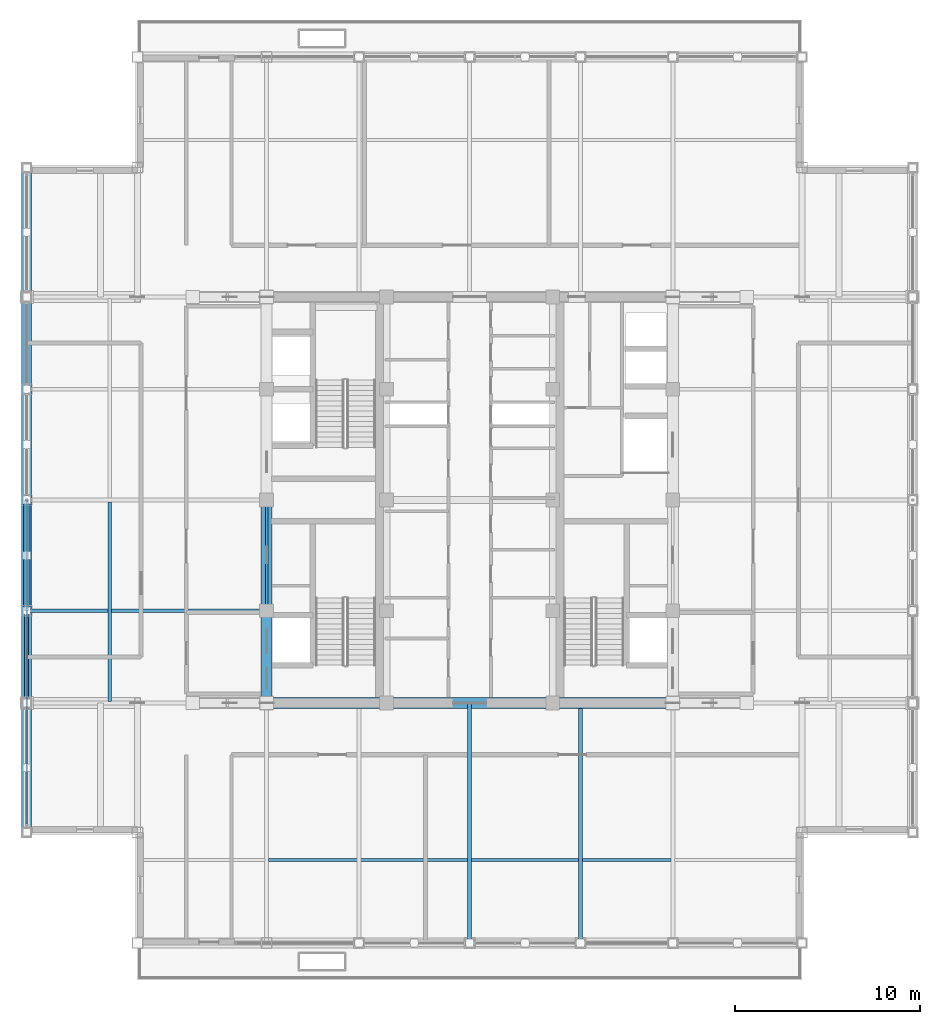
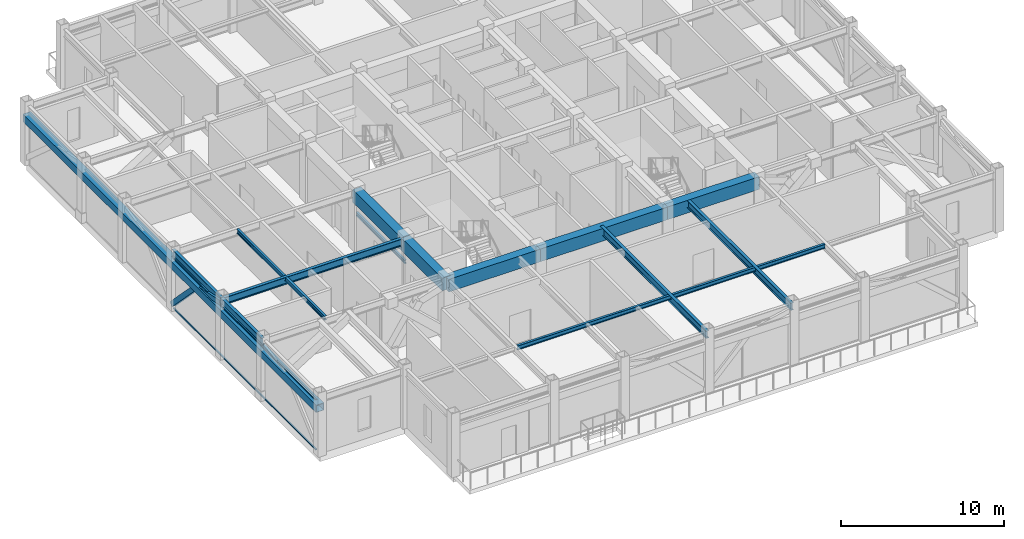
# One storey, part 5 of 32: 13 beams, 5 members, 1 element without a shape of its own.
"""IFC4 building model written with IfcOpenShell, lengths in metres."""

from ifc_helpers import new_model, si_unit, direction, frame, origin, origin_2d, place, context, subcontext, project, spatial, rectangle, hollow_rectangle, i_section, extrude, source, transform, mapped, material, material_profile, profile_set, type_object, element, aggregate, save


model = new_model("IFC4")

# Units and contexts
model_context = context("Model", 3, precision=1e-05, world=origin(), true_north=direction((0.0, 1.0)))
body_context = subcontext(model_context, "Body", "Model", "MODEL_VIEW")
ifc_project = project(units=[si_unit("LENGTHUNIT", "METRE"), si_unit("AREAUNIT", "SQUARE_METRE"), si_unit("VOLUMEUNIT", "CUBIC_METRE"), si_unit("PLANEANGLEUNIT", "RADIAN"), si_unit("MASSUNIT", "GRAM", prefix="KILO")], contexts=[model_context])

# Site, building, storey
site_placement = place(None, origin())
site = spatial("IfcSite", under=ifc_project, at=site_placement, CompositionType="ELEMENT")
building_placement = place(site_placement, origin())
building = spatial("IfcBuilding", under=site, at=building_placement, Name="Khorayat Bourse Tower", CompositionType="ELEMENT")
storey_placement = place(building_placement, frame((0.0, 0.0, 375.5)))
storey = spatial("IfcBuildingStorey", under=building, at=storey_placement, Name="L89", CompositionType="ELEMENT", Elevation=375.5)

# Beams
ifc_material_1 = material(Name="Steel ASTM A992 Grade 50", Category="steel")
ifc_material_profile_1 = material_profile(ifc_material_1, i_section(OverallWidth=0.14697265625, OverallDepth=0.261962890625, WebThickness=0.006591796875, FlangeThickness=0.01123046875, FilletRadius=0.008056640625, at=origin_2d()), Name="W250X39")
ifc_profile_set_1 = profile_set([ifc_material_profile_1], Name="Steel ASTM A992 Grade 50")
beam_type_1 = type_object("IfcBeamType", Name="BM-LINTEL-250", PredefinedType="LINTEL", material=ifc_profile_set_1)
shared_shape_1 = source(origin(), body_context, "Body", "SweptSolid", [
    extrude(i_section(OverallWidth=0.14697265625, OverallDepth=0.261962890625, WebThickness=0.006591796875, FlangeThickness=0.01123046875, FilletRadius=0.008056640625, at=origin_2d()), origin(), (0.0, 0.0, 1.0), 6.0),
])
beam_1_placement = place(storey_placement, frame((-11.0, -6.0, 2.550048828125), z_axis=(0.0, 1.0, 0.0), x_axis=(-1.0, 0.0, 0.0)))
element("IfcBeam", 1, at=beam_1_placement, inside=storey, type_object=beam_type_1, Name="L89 Core Opening Lintel 01", PredefinedType="LINTEL", context=body_context, shape_type="MappedRepresentation", body=[
    mapped(shared_shape_1, transform((0.0, 0.0, 0.0), scale=1.0)),
])
ifc_material_2 = material(Name="Concrete C60/75", Category="concrete")
ifc_material_profile_2 = material_profile(ifc_material_2, rectangle(XDim=0.60009765625, YDim=0.949951171875, at=origin_2d()), Name="RC 600x950")
ifc_profile_set_2 = profile_set([ifc_material_profile_2], Name="Concrete C60/75")
beam_type_2 = type_object("IfcBeamType", Name="BM-COUP-950", PredefinedType="BEAM", material=ifc_profile_set_2)
shared_shape_2 = source(origin(), body_context, "Body", "SweptSolid", [
    extrude(rectangle(XDim=0.60009765625, YDim=0.949951171875, at=origin_2d()), origin(), (0.0, 0.0, 1.0), 5.0),
])
beam_2_placement = place(storey_placement, frame((-11.0, -11.0, 3.97509765625), z_axis=(0.0, 1.0, 0.0), x_axis=(-1.0, 0.0, 0.0)))
element("IfcBeam", 2, at=beam_2_placement, inside=storey, type_object=beam_type_2, Name="L89 BM-COUP-950 BM-L89-CRX-01", PredefinedType="BEAM", context=body_context, shape_type="MappedRepresentation", body=[
    mapped(shared_shape_2, transform((0.0, 0.0, 0.0), scale=1.0)),
])
shared_shape_3 = source(origin(), body_context, "Body", "SweptSolid", [
    extrude(rectangle(XDim=0.60009765625, YDim=0.949951171875, at=origin_2d()), origin(), (0.0, 0.0, 1.0), 6.0),
])
beam_3_placement = place(storey_placement, frame((-11.0, -6.0, 3.97509765625), z_axis=(0.0, 1.0, 0.0), x_axis=(-1.0, 0.0, 0.0)))
element("IfcBeam", 3, at=beam_3_placement, inside=storey, type_object=beam_type_2, Name="L89 BM-COUP-950 BM-L89-CRX-02", PredefinedType="BEAM", context=body_context, shape_type="MappedRepresentation", body=[
    mapped(shared_shape_3, transform((0.0, 0.0, 0.0), scale=1.0)),
])
shared_shape_4 = source(origin(), body_context, "Body", "SweptSolid", [
    extrude(rectangle(XDim=0.60009765625, YDim=0.949951171875, at=origin_2d()), origin(), (0.0, 0.0, 1.0), 6.5),
])
for number, where, z_axis, x_axis, name in (
    (4, (-11.0, -11.0, 3.97509765625), (1.0, 0.0, 0.0), (0.0, 1.0, 0.0), "L89 BM-COUP-950 BM-L89-CRY-17"),
    (5, (4.5, -11.0, 3.97509765625), (1.0, 0.0, 0.0), (0.0, 1.0, 0.0), "L89 BM-COUP-950 BM-L89-CRY-19"),
):
    element("IfcBeam", number, at=place(storey_placement, frame(where, z_axis=z_axis, x_axis=x_axis)), inside=storey, type_object=beam_type_2, Name=name, PredefinedType="BEAM", context=body_context, shape_type="MappedRepresentation", body=[
        mapped(shared_shape_4, transform((0.0, 0.0, 0.0), scale=1.0)),
    ])
shared_shape_5 = source(origin(), body_context, "Body", "SweptSolid", [
    extrude(rectangle(XDim=0.60009765625, YDim=0.949951171875, at=origin_2d()), origin(), (0.0, 0.0, 1.0), 9.0),
])
beam_4_placement = place(storey_placement, frame((-4.5, -11.0, 3.97509765625), z_axis=(1.0, 0.0, 0.0), x_axis=(0.0, 1.0, 0.0)))
element("IfcBeam", 6, at=beam_4_placement, inside=storey, type_object=beam_type_2, Name="L89 BM-COUP-950 BM-L89-CRY-18", PredefinedType="BEAM", context=body_context, shape_type="MappedRepresentation", body=[
    mapped(shared_shape_5, transform((0.0, 0.0, 0.0), scale=1.0)),
])
ifc_material_profile_3 = material_profile(ifc_material_1, i_section(OverallWidth=0.214111328125, OverallDepth=0.549072265625, WebThickness=0.0146484375, FlangeThickness=0.023681640625, FilletRadius=0.013916015625, at=origin_2d()), Name="W530X138")
ifc_profile_set_3 = profile_set([ifc_material_profile_3], Name="Steel ASTM A992 Grade 50")
beam_type_3 = type_object("IfcBeamType", Name="BM-SPAN-530", PredefinedType="SPANDREL", material=ifc_profile_set_3)
shared_shape_6 = source(origin(), body_context, "Body", "SweptSolid", [
    extrude(i_section(OverallWidth=0.214111328125, OverallDepth=0.549072265625, WebThickness=0.0146484375, FlangeThickness=0.023681640625, FilletRadius=0.013916015625, at=origin_2d()), origin(), (0.0, 0.0, 1.0), 5.0),
])
beam_5_placement = place(storey_placement, frame((-24.0, -11.0, 4.175537109375), z_axis=(0.0, 1.0, 0.0), x_axis=(-1.0, 0.0, 0.0)))
element("IfcBeam", 7, at=beam_5_placement, inside=storey, type_object=beam_type_3, Name="L89 BM-SPAN-530 BM-L89-SPN-052", PredefinedType="SPANDREL", context=body_context, shape_type="MappedRepresentation", body=[
    mapped(shared_shape_6, transform((0.0, 0.0, 0.0), scale=1.0)),
])
shared_shape_7 = source(origin(), body_context, "Body", "SweptSolid", [
    extrude(i_section(OverallWidth=0.214111328125, OverallDepth=0.549072265625, WebThickness=0.0146484375, FlangeThickness=0.023681640625, FilletRadius=0.013916015625, at=origin_2d()), origin(), (0.0, 0.0, 1.0), 6.0),
])
beam_6_placement = place(storey_placement, frame((-24.0, -6.0, 4.175537109375), z_axis=(0.0, 1.0, 0.0), x_axis=(-1.0, 0.0, 0.0)))
element("IfcBeam", 8, at=beam_6_placement, inside=storey, type_object=beam_type_3, Name="L89 BM-SPAN-530 BM-L89-SPN-051", PredefinedType="SPANDREL", context=body_context, shape_type="MappedRepresentation", body=[
    mapped(shared_shape_7, transform((0.0, 0.0, 0.0), scale=1.0)),
])
ifc_material_profile_4 = material_profile(ifc_material_1, i_section(OverallWidth=0.214111328125, OverallDepth=0.549072265625, WebThickness=0.0146484375, FlangeThickness=0.023681640625, FilletRadius=0.013916015625, at=origin_2d()), Name="W530X138")
ifc_profile_set_4 = profile_set([ifc_material_profile_4], Name="Steel ASTM A992 Grade 50")
beam_type_4 = type_object("IfcBeamType", Name="BM-GIRD-530", PredefinedType="BEAM", material=ifc_profile_set_4)
shared_shape_8 = source(origin(), body_context, "Body", "SweptSolid", [
    extrude(i_section(OverallWidth=0.214111328125, OverallDepth=0.549072265625, WebThickness=0.0146484375, FlangeThickness=0.023681640625, FilletRadius=0.013916015625, at=origin_2d()), origin(), (0.0, 0.0, 1.0), 13.0),
])
for number, where, z_axis, x_axis, name in (
    (9, (0.0, -24.0, 4.175537109375), (0.0, 1.0, 0.0), (-1.0, 0.0, 0.0), "L89 BM-GIRD-530 BM-L89-RADY-061"),
    (10, (6.0, -24.0, 4.175537109375), (0.0, 1.0, 0.0), (-1.0, 0.0, 0.0), "L89 BM-GIRD-530 BM-L89-RADY-063"),
    (11, (-24.0, -6.0, 4.175537109375), (1.0, 0.0, 0.0), (0.0, 1.0, 0.0), "L89 BM-GIRD-530 BM-L89-RADX-069"),
):
    element("IfcBeam", number, at=place(storey_placement, frame(where, z_axis=z_axis, x_axis=x_axis)), inside=storey, type_object=beam_type_4, Name=name, PredefinedType="BEAM", context=body_context, shape_type="MappedRepresentation", body=[
        mapped(shared_shape_8, transform((0.0, 0.0, 0.0), scale=1.0)),
    ])
ifc_material_profile_5 = material_profile(ifc_material_1, i_section(OverallWidth=0.1669921875, OverallDepth=0.31689453125, WebThickness=0.007568359375, FlangeThickness=0.01318359375, FilletRadius=0.010009765625, at=origin_2d()), Name="W310X52")
ifc_profile_set_5 = profile_set([ifc_material_profile_5], Name="Steel ASTM A992 Grade 50")
beam_type_5 = type_object("IfcBeamType", Name="BM-JOIST-310", PredefinedType="JOIST", material=ifc_profile_set_5)
shared_shape_9 = source(origin(), body_context, "Body", "SweptSolid", [
    extrude(i_section(OverallWidth=0.1669921875, OverallDepth=0.31689453125, WebThickness=0.007568359375, FlangeThickness=0.01318359375, FilletRadius=0.010009765625, at=origin_2d()), origin(), (0.0, 0.0, 1.0), 21.81005859375),
])
beam_7_placement = place(storey_placement, frame((-10.905029296875, -19.5, 4.29150390625), z_axis=(1.0, 0.0, 0.0), x_axis=(0.0, 1.0, 0.0)))
element("IfcBeam", 12, at=beam_7_placement, inside=storey, type_object=beam_type_5, Name="L89 BM-JOIST-310 BM-L89-JSTX-085", PredefinedType="JOIST", context=body_context, shape_type="MappedRepresentation", body=[
    mapped(shared_shape_9, transform((0.0, 0.0, 0.0), scale=1.0)),
])
shared_shape_10 = source(origin(), body_context, "Body", "SweptSolid", [
    extrude(i_section(OverallWidth=0.1669921875, OverallDepth=0.31689453125, WebThickness=0.007568359375, FlangeThickness=0.01318359375, FilletRadius=0.010009765625, at=origin_2d()), origin(), (0.0, 0.0, 1.0), 10.81005859375),
])
beam_8_placement = place(storey_placement, frame((-19.5, -10.905029296875, 4.29150390625), z_axis=(0.0, 1.0, 0.0), x_axis=(-1.0, 0.0, 0.0)))
element("IfcBeam", 13, at=beam_8_placement, inside=storey, type_object=beam_type_5, Name="L89 BM-JOIST-310 BM-L89-JSTY-090", PredefinedType="JOIST", context=body_context, shape_type="MappedRepresentation", body=[
    mapped(shared_shape_10, transform((0.0, 0.0, 0.0), scale=1.0)),
])

# Members
ifc_material_3 = material(Name="Steel EN 10025-4 S460M", Category="steel")
ifc_material_profile_6 = material_profile(ifc_material_3, hollow_rectangle(XDim=0.550048828125, YDim=0.550048828125, WallThickness=0.031982421875, at=origin_2d()), Name="HSS 550x550x32")
ifc_profile_set_6 = profile_set([ifc_material_profile_6], Name="Steel EN 10025-4 S460M")
member_type_1 = type_object("IfcMemberType", Name="MBR-BELT-550", PredefinedType="CHORD", material=ifc_profile_set_6)
shared_shape_11 = source(origin(), body_context, "Body", "SweptSolid", [
    extrude(hollow_rectangle(XDim=0.550048828125, YDim=0.550048828125, WallThickness=0.031982421875, at=origin_2d()), origin(), (0.0, 0.0, 1.0), 36.0),
])
member_1_placement = place(storey_placement, frame((-24.0, -18.0, 3.449951171875), z_axis=(0.0, 1.0, 0.0), x_axis=(-1.0, 0.0, 0.0)))
element("IfcMember", 14, at=member_1_placement, inside=storey, type_object=member_type_1, Name="L89 Belt Truss Mid Chord 03", PredefinedType="CHORD", context=body_context, shape_type="MappedRepresentation", body=[
    mapped(shared_shape_11, transform((0.0, 0.0, 0.0), scale=1.0)),
])
ifc_material_4 = material(Name="Steel EN 10025-2 S355J2", Category="steel")
ifc_material_profile_7 = material_profile(ifc_material_4, hollow_rectangle(XDim=0.35009765625, YDim=0.35009765625, WallThickness=0.02001953125, at=origin_2d()), Name="HSS 350x350x20")
ifc_profile_set_7 = profile_set([ifc_material_profile_7], Name="Steel EN 10025-2 S355J2")
member_type_2 = type_object("IfcMemberType", Name="MBR-CROWN-350", PredefinedType="USERDEFINED", material=ifc_profile_set_7)
shared_shape_12 = source(origin(), body_context, "Body", "SweptSolid", [
    extrude(hollow_rectangle(XDim=0.35009765625, YDim=0.35009765625, WallThickness=0.02001953125, at=origin_2d()), origin(), (0.0, 0.0, 1.0), 3.069580078125),
])
member_2_placement = place(storey_placement, frame((-24.0, -6.0, 4.10009765625), z_axis=(0.0, 0.977313263163, -0.211798927393), x_axis=(-1.0, 0.0, 0.0)))
element("IfcMember", 15, at=member_2_placement, inside=storey, type_object=member_type_2, Name="L89 Lantern Crown Frame Member 15", ObjectType="CROWN FRAME", PredefinedType="USERDEFINED", context=body_context, shape_type="MappedRepresentation", body=[
    mapped(shared_shape_12, transform((0.0, 0.0, 0.0), scale=1.0)),
])
shared_shape_13 = source(origin(), body_context, "Body", "SweptSolid", [
    extrude(hollow_rectangle(XDim=0.35009765625, YDim=0.35009765625, WallThickness=0.02001953125, at=origin_2d()), origin(), (0.0, 0.0, 1.0), 4.313720703125),
])
member_3_placement = place(storey_placement, frame((-24.0, -3.0, 3.449951171875), z_axis=(0.0, 0.695438396675, -0.718585719612), x_axis=(-1.0, 0.0, 0.0)))
element("IfcMember", 16, at=member_3_placement, inside=storey, type_object=member_type_2, Name="L89 Lantern Crown Frame Member 16", ObjectType="CROWN FRAME", PredefinedType="USERDEFINED", context=body_context, shape_type="MappedRepresentation", body=[
    mapped(shared_shape_13, transform((0.0, 0.0, 0.0), scale=1.0)),
])

# Curtain wall, members
ifc_material_5 = material(Name="Aluminium EN AW-6063 T6", Category="aluminium")
curtain_wall_type = type_object("IfcCurtainWallType", Name="CW-SYS-07", PredefinedType="NOTDEFINED", material=ifc_material_5)
curtain_wall_placement = place(storey_placement, origin())
curtain_wall = element("IfcCurtainWall", 17, at=curtain_wall_placement, inside=storey, type_object=curtain_wall_type, Name="L89 Curtain Wall CW-L89-W1", PredefinedType="NOTDEFINED")
ifc_material_profile_8 = material_profile(ifc_material_5, hollow_rectangle(XDim=0.090087890625, YDim=0.090087890625, WallThickness=0.00390625, at=origin_2d()), Name="ALU 90x90x4")
ifc_profile_set_8 = profile_set([ifc_material_profile_8], Name="Aluminium EN AW-6063 T6")
member_type_3 = type_object("IfcMemberType", Name="CWT-HORZ-90", PredefinedType="USERDEFINED", material=ifc_profile_set_8)
shared_shape_14 = source(origin(), body_context, "Body", "SweptSolid", [
    extrude(hollow_rectangle(XDim=0.090087890625, YDim=0.090087890625, WallThickness=0.00390625, at=origin_2d()), origin(), (0.0, 0.0, 1.0), 17.5),
])
member_4_placement = place(storey_placement, frame((-24.0, -17.550048828125, 0.044921875), z_axis=(0.0, 1.0, 0.0), x_axis=(-1.0, 0.0, 0.0)))
member_4 = element("IfcMember", 18, at=member_4_placement, type_object=member_type_3, Name="CW-L89-W1 Horizontal Transom 1-1", ObjectType="TRANSOM", PredefinedType="USERDEFINED", context=body_context, shape_type="MappedRepresentation", body=[
    mapped(shared_shape_14, transform((0.0, 0.0, 0.0), scale=1.0)),
])
member_5_placement = place(storey_placement, frame((-24.0, -17.550048828125, 3.7548828125), z_axis=(0.0, 1.0, 0.0), x_axis=(-1.0, 0.0, 0.0)))
member_5 = element("IfcMember", 19, at=member_5_placement, type_object=member_type_3, Name="CW-L89-W1 Horizontal Transom 1-2", ObjectType="TRANSOM", PredefinedType="USERDEFINED", context=body_context, shape_type="MappedRepresentation", body=[
    mapped(shared_shape_14, transform((0.0, 0.0, 0.0), scale=1.0)),
])
aggregate(curtain_wall, [member_4, member_5])

save(model, "model.ifc")
